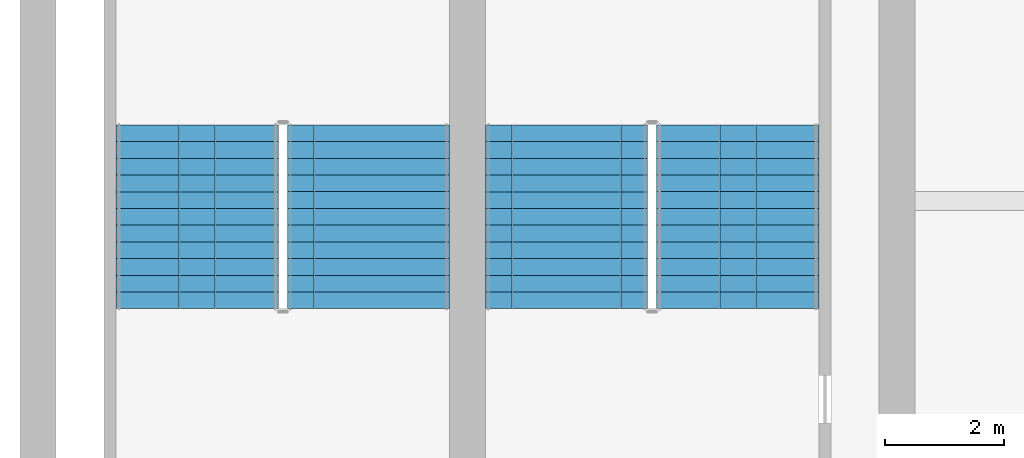
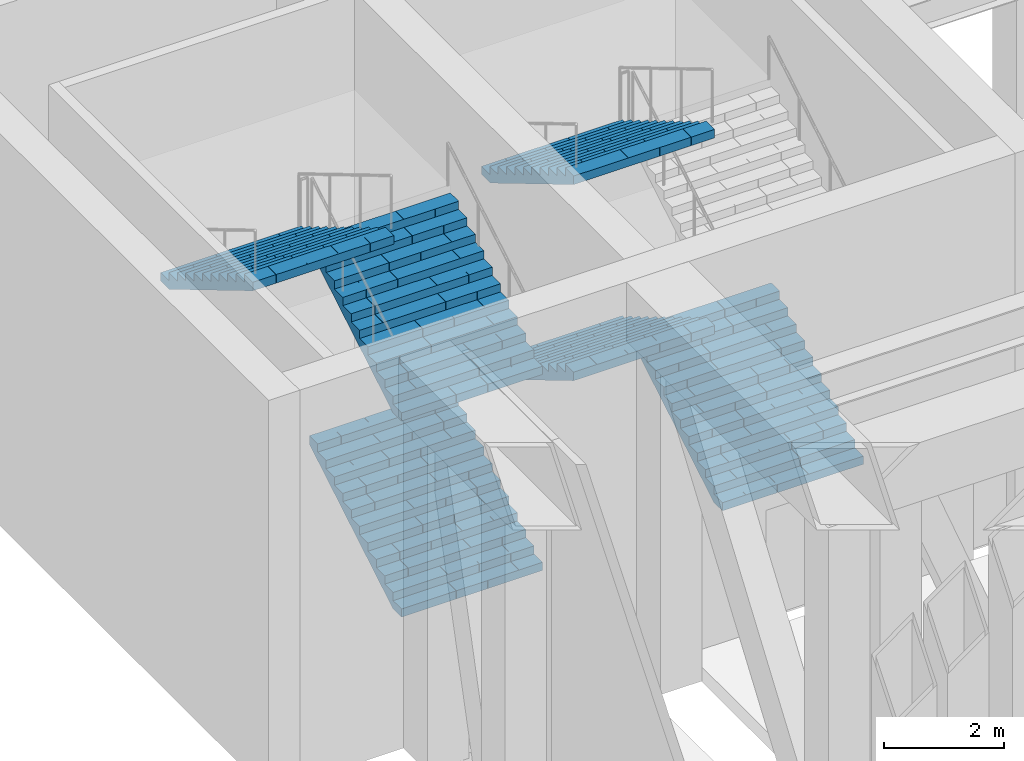
# One storey, part 15 of 20: 6 stair flights, 2 elements without a shape of their own.
"""IFC4 building model written with IfcOpenShell, lengths in metres."""

from ifc_helpers import new_model, si_unit, direction, frame, origin, place, context, subcontext, project, spatial, polyline, outline, extrude, material, type_object, element, aggregate, save


model = new_model("IFC4")

# Units and contexts
model_context = context("Model", 3, precision=1e-05, world=origin(), true_north=direction((0.0, 1.0)))
body_context = subcontext(model_context, "Body", "Model", "MODEL_VIEW")
ifc_project = project(units=[si_unit("LENGTHUNIT", "METRE"), si_unit("AREAUNIT", "SQUARE_METRE"), si_unit("VOLUMEUNIT", "CUBIC_METRE"), si_unit("PLANEANGLEUNIT", "RADIAN"), si_unit("MASSUNIT", "GRAM", prefix="KILO")], contexts=[model_context])

# Site, building, storey
site_placement = place(None, origin())
site = spatial("IfcSite", under=ifc_project, at=site_placement, CompositionType="ELEMENT")
building_placement = place(site_placement, origin())
building = spatial("IfcBuilding", under=site, at=building_placement, Name="Corbelhall Arena Tower", CompositionType="ELEMENT")
storey_placement = place(building_placement, frame((0.0, 0.0, 44.0)))
storey = spatial("IfcBuildingStorey", under=building, at=storey_placement, Name="L06", CompositionType="ELEMENT", Elevation=44.0)

# Stair, stair flights
ifc_material = material(Name="Reinforced concrete C40/50", Category="concrete")
stair_type = type_object("IfcStairType", Name="AR-EXIT-STAIR", PredefinedType="HALF_TURN_STAIR", material=ifc_material)
stair_1_placement = place(storey_placement, origin())
stair_1 = element("IfcStair", 1, at=stair_1_placement, inside=storey, type_object=stair_type, Name="L06 exit stair AS3", PredefinedType="HALF_TURN_STAIR")
stair_flight_type = type_object("IfcStairFlightType", Name="AR-EXIT-FLIGHT", PredefinedType="STRAIGHT", material=ifc_material)
stair_flight_1_placement = place(storey_placement, frame((-35.969970703125, 27.320068359375, 0.0), z_axis=(0.0, 0.0, 1.0), x_axis=(0.0, 1.0, 0.0)))
stair_flight_1 = element("IfcStairFlight", 2, at=stair_flight_1_placement, type_object=stair_flight_type, Name="AS3 flight 1", NumberOfRisers=12, NumberOfTreads=11, PredefinedType="STRAIGHT", RiserHeight=0.166666667, TreadLength=0.28, context=body_context, shape_type="SweptSolid", body=[
    extrude(outline(polyline([(0.0, 0.0), (0.0, 0.166748046875), (0.280029296875, 0.166748046875), (0.280029296875, 0.333251953125), (0.56005859375, 0.333251953125), (0.56005859375, 0.5), (0.840087890625, 0.5), (0.840087890625, 0.666748046875), (1.1201171875, 0.666748046875), (1.1201171875, 0.833251953125), (1.39990234375, 0.833251953125), (1.39990234375, 1.0), (1.679931640625, 1.0), (1.679931640625, 1.166748046875), (1.9599609375, 1.166748046875), (1.9599609375, 1.333251953125), (2.239990234375, 1.333251953125), (2.239990234375, 1.5), (2.52001953125, 1.5), (2.52001953125, 1.666748046875), (2.800048828125, 1.666748046875), (2.800048828125, 1.833251953125), (3.080078125, 1.833251953125), (3.080078125, 2.0), (3.080078125, 1.658935546875), (0.29296875, 0.0), (0.0, 0.0)])), frame((0.0, 1.35986328125, 0.0), z_axis=(0.0, -1.0, 0.0), x_axis=(1.0, 0.0, 0.0)), (0.0, 0.0, 1.0), 0.449951171875),
    extrude(outline(polyline([(0.0, 0.0), (0.0, 0.166748046875), (0.280029296875, 0.166748046875), (0.280029296875, 0.333251953125), (0.56005859375, 0.333251953125), (0.56005859375, 0.5), (0.840087890625, 0.5), (0.840087890625, 0.666748046875), (1.1201171875, 0.666748046875), (1.1201171875, 0.833251953125), (1.39990234375, 0.833251953125), (1.39990234375, 1.0), (1.679931640625, 1.0), (1.679931640625, 1.166748046875), (1.9599609375, 1.166748046875), (1.9599609375, 1.333251953125), (2.239990234375, 1.333251953125), (2.239990234375, 1.5), (2.52001953125, 1.5), (2.52001953125, 1.666748046875), (2.800048828125, 1.666748046875), (2.800048828125, 1.833251953125), (3.080078125, 1.833251953125), (3.080078125, 2.0), (3.080078125, 1.658935546875), (0.29296875, 0.0), (0.0, 0.0)])), frame((0.0, 0.906005859375, 0.0), z_axis=(0.0, -1.0, 0.0), x_axis=(1.0, 0.0, 0.0)), (0.0, 0.0, 1.0), 0.601318359375),
    extrude(outline(polyline([(0.0, 0.0), (0.0, 0.166748046875), (0.280029296875, 0.166748046875), (0.280029296875, 0.333251953125), (0.56005859375, 0.333251953125), (0.56005859375, 0.5), (0.840087890625, 0.5), (0.840087890625, 0.666748046875), (1.1201171875, 0.666748046875), (1.1201171875, 0.833251953125), (1.39990234375, 0.833251953125), (1.39990234375, 1.0), (1.679931640625, 1.0), (1.679931640625, 1.166748046875), (1.9599609375, 1.166748046875), (1.9599609375, 1.333251953125), (2.239990234375, 1.333251953125), (2.239990234375, 1.5), (2.52001953125, 1.5), (2.52001953125, 1.666748046875), (2.800048828125, 1.666748046875), (2.800048828125, 1.833251953125), (3.080078125, 1.833251953125), (3.080078125, 2.0), (3.080078125, 1.658935546875), (0.29296875, 0.0), (0.0, 0.0)])), frame((0.0, 0.30078125, 0.0), z_axis=(0.0, -1.0, 0.0), x_axis=(1.0, 0.0, 0.0)), (0.0, 0.0, 1.0), 0.601318359375),
    extrude(outline(polyline([(0.0, 0.0), (0.0, 0.166748046875), (0.280029296875, 0.166748046875), (0.280029296875, 0.333251953125), (0.56005859375, 0.333251953125), (0.56005859375, 0.5), (0.840087890625, 0.5), (0.840087890625, 0.666748046875), (1.1201171875, 0.666748046875), (1.1201171875, 0.833251953125), (1.39990234375, 0.833251953125), (1.39990234375, 1.0), (1.679931640625, 1.0), (1.679931640625, 1.166748046875), (1.9599609375, 1.166748046875), (1.9599609375, 1.333251953125), (2.239990234375, 1.333251953125), (2.239990234375, 1.5), (2.52001953125, 1.5), (2.52001953125, 1.666748046875), (2.800048828125, 1.666748046875), (2.800048828125, 1.833251953125), (3.080078125, 1.833251953125), (3.080078125, 2.0), (3.080078125, 1.658935546875), (0.29296875, 0.0), (0.0, 0.0)])), frame((0.0, -0.3046875, 0.0), z_axis=(0.0, -1.0, 0.0), x_axis=(1.0, 0.0, 0.0)), (0.0, 0.0, 1.0), 0.601318359375),
    extrude(outline(polyline([(0.0, 0.0), (0.0, 0.166748046875), (0.280029296875, 0.166748046875), (0.280029296875, 0.333251953125), (0.56005859375, 0.333251953125), (0.56005859375, 0.5), (0.840087890625, 0.5), (0.840087890625, 0.666748046875), (1.1201171875, 0.666748046875), (1.1201171875, 0.833251953125), (1.39990234375, 0.833251953125), (1.39990234375, 1.0), (1.679931640625, 1.0), (1.679931640625, 1.166748046875), (1.9599609375, 1.166748046875), (1.9599609375, 1.333251953125), (2.239990234375, 1.333251953125), (2.239990234375, 1.5), (2.52001953125, 1.5), (2.52001953125, 1.666748046875), (2.800048828125, 1.666748046875), (2.800048828125, 1.833251953125), (3.080078125, 1.833251953125), (3.080078125, 2.0), (3.080078125, 1.658935546875), (0.29296875, 0.0), (0.0, 0.0)])), frame((0.0, -0.909912109375, 0.0), z_axis=(0.0, -1.0, 0.0), x_axis=(1.0, 0.0, 0.0)), (0.0, 0.0, 1.0), 0.449951171875),
])
stair_flight_2_placement = place(storey_placement, frame((-38.840087890625, 30.39990234375, 2.0), z_axis=(0.0, 0.0, 1.0), x_axis=(0.0, -1.0, 0.0)))
stair_flight_2 = element("IfcStairFlight", 3, at=stair_flight_2_placement, type_object=stair_flight_type, Name="AS3 flight 2", NumberOfRisers=12, NumberOfTreads=11, PredefinedType="STRAIGHT", RiserHeight=0.166666667, TreadLength=0.28, context=body_context, shape_type="SweptSolid", body=[
    extrude(outline(polyline([(0.0, 0.0), (0.0, 0.166748046875), (0.280029296875, 0.166748046875), (0.280029296875, 0.333251953125), (0.56005859375, 0.333251953125), (0.56005859375, 0.5), (0.840087890625, 0.5), (0.840087890625, 0.666748046875), (1.1201171875, 0.666748046875), (1.1201171875, 0.833251953125), (1.39990234375, 0.833251953125), (1.39990234375, 1.0), (1.679931640625, 1.0), (1.679931640625, 1.166748046875), (1.9599609375, 1.166748046875), (1.9599609375, 1.333251953125), (2.239990234375, 1.333251953125), (2.239990234375, 1.5), (2.52001953125, 1.5), (2.52001953125, 1.666748046875), (2.800048828125, 1.666748046875), (2.800048828125, 1.833251953125), (3.080078125, 1.833251953125), (3.080078125, 2.0), (3.080078125, 1.658935546875), (0.29296875, 0.0), (0.0, 0.0)])), frame((0.0, 1.35986328125, 0.0), z_axis=(0.0, -1.0, 0.0), x_axis=(1.0, 0.0, 0.0)), (0.0, 0.0, 1.0), 0.449951171875),
    extrude(outline(polyline([(0.0, 0.0), (0.0, 0.166748046875), (0.280029296875, 0.166748046875), (0.280029296875, 0.333251953125), (0.56005859375, 0.333251953125), (0.56005859375, 0.5), (0.840087890625, 0.5), (0.840087890625, 0.666748046875), (1.1201171875, 0.666748046875), (1.1201171875, 0.833251953125), (1.39990234375, 0.833251953125), (1.39990234375, 1.0), (1.679931640625, 1.0), (1.679931640625, 1.166748046875), (1.9599609375, 1.166748046875), (1.9599609375, 1.333251953125), (2.239990234375, 1.333251953125), (2.239990234375, 1.5), (2.52001953125, 1.5), (2.52001953125, 1.666748046875), (2.800048828125, 1.666748046875), (2.800048828125, 1.833251953125), (3.080078125, 1.833251953125), (3.080078125, 2.0), (3.080078125, 1.658935546875), (0.29296875, 0.0), (0.0, 0.0)])), frame((0.0, 0.906005859375, 0.0), z_axis=(0.0, -1.0, 0.0), x_axis=(1.0, 0.0, 0.0)), (0.0, 0.0, 1.0), 0.601318359375),
    extrude(outline(polyline([(0.0, 0.0), (0.0, 0.166748046875), (0.280029296875, 0.166748046875), (0.280029296875, 0.333251953125), (0.56005859375, 0.333251953125), (0.56005859375, 0.5), (0.840087890625, 0.5), (0.840087890625, 0.666748046875), (1.1201171875, 0.666748046875), (1.1201171875, 0.833251953125), (1.39990234375, 0.833251953125), (1.39990234375, 1.0), (1.679931640625, 1.0), (1.679931640625, 1.166748046875), (1.9599609375, 1.166748046875), (1.9599609375, 1.333251953125), (2.239990234375, 1.333251953125), (2.239990234375, 1.5), (2.52001953125, 1.5), (2.52001953125, 1.666748046875), (2.800048828125, 1.666748046875), (2.800048828125, 1.833251953125), (3.080078125, 1.833251953125), (3.080078125, 2.0), (3.080078125, 1.658935546875), (0.29296875, 0.0), (0.0, 0.0)])), frame((0.0, 0.30078125, 0.0), z_axis=(0.0, -1.0, 0.0), x_axis=(1.0, 0.0, 0.0)), (0.0, 0.0, 1.0), 0.601318359375),
    extrude(outline(polyline([(0.0, 0.0), (0.0, 0.166748046875), (0.280029296875, 0.166748046875), (0.280029296875, 0.333251953125), (0.56005859375, 0.333251953125), (0.56005859375, 0.5), (0.840087890625, 0.5), (0.840087890625, 0.666748046875), (1.1201171875, 0.666748046875), (1.1201171875, 0.833251953125), (1.39990234375, 0.833251953125), (1.39990234375, 1.0), (1.679931640625, 1.0), (1.679931640625, 1.166748046875), (1.9599609375, 1.166748046875), (1.9599609375, 1.333251953125), (2.239990234375, 1.333251953125), (2.239990234375, 1.5), (2.52001953125, 1.5), (2.52001953125, 1.666748046875), (2.800048828125, 1.666748046875), (2.800048828125, 1.833251953125), (3.080078125, 1.833251953125), (3.080078125, 2.0), (3.080078125, 1.658935546875), (0.29296875, 0.0), (0.0, 0.0)])), frame((0.0, -0.3046875, 0.0), z_axis=(0.0, -1.0, 0.0), x_axis=(1.0, 0.0, 0.0)), (0.0, 0.0, 1.0), 0.601318359375),
    extrude(outline(polyline([(0.0, 0.0), (0.0, 0.166748046875), (0.280029296875, 0.166748046875), (0.280029296875, 0.333251953125), (0.56005859375, 0.333251953125), (0.56005859375, 0.5), (0.840087890625, 0.5), (0.840087890625, 0.666748046875), (1.1201171875, 0.666748046875), (1.1201171875, 0.833251953125), (1.39990234375, 0.833251953125), (1.39990234375, 1.0), (1.679931640625, 1.0), (1.679931640625, 1.166748046875), (1.9599609375, 1.166748046875), (1.9599609375, 1.333251953125), (2.239990234375, 1.333251953125), (2.239990234375, 1.5), (2.52001953125, 1.5), (2.52001953125, 1.666748046875), (2.800048828125, 1.666748046875), (2.800048828125, 1.833251953125), (3.080078125, 1.833251953125), (3.080078125, 2.0), (3.080078125, 1.658935546875), (0.29296875, 0.0), (0.0, 0.0)])), frame((0.0, -0.909912109375, 0.0), z_axis=(0.0, -1.0, 0.0), x_axis=(1.0, 0.0, 0.0)), (0.0, 0.0, 1.0), 0.449951171875),
])
stair_flight_3_placement = place(storey_placement, frame((-38.840087890625, 30.39990234375, 6.0), z_axis=(0.0, 0.0, 1.0), x_axis=(0.0, -1.0, 0.0)))
stair_flight_3 = element("IfcStairFlight", 4, at=stair_flight_3_placement, type_object=stair_flight_type, Name="AS3 flight 4", NumberOfRisers=12, NumberOfTreads=11, PredefinedType="STRAIGHT", RiserHeight=0.166666667, TreadLength=0.28, context=body_context, shape_type="SweptSolid", body=[
    extrude(outline(polyline([(0.0, 0.0), (0.0, 0.166748046875), (0.280029296875, 0.166748046875), (0.280029296875, 0.333251953125), (0.56005859375, 0.333251953125), (0.56005859375, 0.5), (0.840087890625, 0.5), (0.840087890625, 0.666748046875), (1.1201171875, 0.666748046875), (1.1201171875, 0.833251953125), (1.39990234375, 0.833251953125), (1.39990234375, 1.0), (1.679931640625, 1.0), (1.679931640625, 1.166748046875), (1.9599609375, 1.166748046875), (1.9599609375, 1.333251953125), (2.239990234375, 1.333251953125), (2.239990234375, 1.5), (2.52001953125, 1.5), (2.52001953125, 1.666748046875), (2.800048828125, 1.666748046875), (2.800048828125, 1.833251953125), (3.080078125, 1.833251953125), (3.080078125, 2.0), (3.080078125, 1.658935546875), (0.29296875, 0.0), (0.0, 0.0)])), frame((0.0, 1.35986328125, 0.0), z_axis=(0.0, -1.0, 0.0), x_axis=(1.0, 0.0, 0.0)), (0.0, 0.0, 1.0), 0.449951171875),
    extrude(outline(polyline([(0.0, 0.0), (0.0, 0.166748046875), (0.280029296875, 0.166748046875), (0.280029296875, 0.333251953125), (0.56005859375, 0.333251953125), (0.56005859375, 0.5), (0.840087890625, 0.5), (0.840087890625, 0.666748046875), (1.1201171875, 0.666748046875), (1.1201171875, 0.833251953125), (1.39990234375, 0.833251953125), (1.39990234375, 1.0), (1.679931640625, 1.0), (1.679931640625, 1.166748046875), (1.9599609375, 1.166748046875), (1.9599609375, 1.333251953125), (2.239990234375, 1.333251953125), (2.239990234375, 1.5), (2.52001953125, 1.5), (2.52001953125, 1.666748046875), (2.800048828125, 1.666748046875), (2.800048828125, 1.833251953125), (3.080078125, 1.833251953125), (3.080078125, 2.0), (3.080078125, 1.658935546875), (0.29296875, 0.0), (0.0, 0.0)])), frame((0.0, 0.906005859375, 0.0), z_axis=(0.0, -1.0, 0.0), x_axis=(1.0, 0.0, 0.0)), (0.0, 0.0, 1.0), 0.601318359375),
    extrude(outline(polyline([(0.0, 0.0), (0.0, 0.166748046875), (0.280029296875, 0.166748046875), (0.280029296875, 0.333251953125), (0.56005859375, 0.333251953125), (0.56005859375, 0.5), (0.840087890625, 0.5), (0.840087890625, 0.666748046875), (1.1201171875, 0.666748046875), (1.1201171875, 0.833251953125), (1.39990234375, 0.833251953125), (1.39990234375, 1.0), (1.679931640625, 1.0), (1.679931640625, 1.166748046875), (1.9599609375, 1.166748046875), (1.9599609375, 1.333251953125), (2.239990234375, 1.333251953125), (2.239990234375, 1.5), (2.52001953125, 1.5), (2.52001953125, 1.666748046875), (2.800048828125, 1.666748046875), (2.800048828125, 1.833251953125), (3.080078125, 1.833251953125), (3.080078125, 2.0), (3.080078125, 1.658935546875), (0.29296875, 0.0), (0.0, 0.0)])), frame((0.0, 0.30078125, 0.0), z_axis=(0.0, -1.0, 0.0), x_axis=(1.0, 0.0, 0.0)), (0.0, 0.0, 1.0), 0.601318359375),
    extrude(outline(polyline([(0.0, 0.0), (0.0, 0.166748046875), (0.280029296875, 0.166748046875), (0.280029296875, 0.333251953125), (0.56005859375, 0.333251953125), (0.56005859375, 0.5), (0.840087890625, 0.5), (0.840087890625, 0.666748046875), (1.1201171875, 0.666748046875), (1.1201171875, 0.833251953125), (1.39990234375, 0.833251953125), (1.39990234375, 1.0), (1.679931640625, 1.0), (1.679931640625, 1.166748046875), (1.9599609375, 1.166748046875), (1.9599609375, 1.333251953125), (2.239990234375, 1.333251953125), (2.239990234375, 1.5), (2.52001953125, 1.5), (2.52001953125, 1.666748046875), (2.800048828125, 1.666748046875), (2.800048828125, 1.833251953125), (3.080078125, 1.833251953125), (3.080078125, 2.0), (3.080078125, 1.658935546875), (0.29296875, 0.0), (0.0, 0.0)])), frame((0.0, -0.3046875, 0.0), z_axis=(0.0, -1.0, 0.0), x_axis=(1.0, 0.0, 0.0)), (0.0, 0.0, 1.0), 0.601318359375),
    extrude(outline(polyline([(0.0, 0.0), (0.0, 0.166748046875), (0.280029296875, 0.166748046875), (0.280029296875, 0.333251953125), (0.56005859375, 0.333251953125), (0.56005859375, 0.5), (0.840087890625, 0.5), (0.840087890625, 0.666748046875), (1.1201171875, 0.666748046875), (1.1201171875, 0.833251953125), (1.39990234375, 0.833251953125), (1.39990234375, 1.0), (1.679931640625, 1.0), (1.679931640625, 1.166748046875), (1.9599609375, 1.166748046875), (1.9599609375, 1.333251953125), (2.239990234375, 1.333251953125), (2.239990234375, 1.5), (2.52001953125, 1.5), (2.52001953125, 1.666748046875), (2.800048828125, 1.666748046875), (2.800048828125, 1.833251953125), (3.080078125, 1.833251953125), (3.080078125, 2.0), (3.080078125, 1.658935546875), (0.29296875, 0.0), (0.0, 0.0)])), frame((0.0, -0.909912109375, 0.0), z_axis=(0.0, -1.0, 0.0), x_axis=(1.0, 0.0, 0.0)), (0.0, 0.0, 1.0), 0.449951171875),
])
aggregate(stair_1, [stair_flight_1, stair_flight_2, stair_flight_3])

stair_2_placement = place(storey_placement, origin())
stair_2 = element("IfcStair", 5, at=stair_2_placement, inside=storey, type_object=stair_type, Name="L06 exit stair AS4", PredefinedType="HALF_TURN_STAIR")
stair_flight_4_placement = place(storey_placement, frame((-42.159912109375, 27.320068359375, 0.0), z_axis=(0.0, 0.0, 1.0), x_axis=(0.0, 1.0, 0.0)))
stair_flight_4 = element("IfcStairFlight", 6, at=stair_flight_4_placement, type_object=stair_flight_type, Name="AS4 flight 1", NumberOfRisers=12, NumberOfTreads=11, PredefinedType="STRAIGHT", RiserHeight=0.166666667, TreadLength=0.28, context=body_context, shape_type="SweptSolid", body=[
    extrude(outline(polyline([(0.0, 0.0), (0.0, 0.166748046875), (0.280029296875, 0.166748046875), (0.280029296875, 0.333251953125), (0.56005859375, 0.333251953125), (0.56005859375, 0.5), (0.840087890625, 0.5), (0.840087890625, 0.666748046875), (1.1201171875, 0.666748046875), (1.1201171875, 0.833251953125), (1.39990234375, 0.833251953125), (1.39990234375, 1.0), (1.679931640625, 1.0), (1.679931640625, 1.166748046875), (1.9599609375, 1.166748046875), (1.9599609375, 1.333251953125), (2.239990234375, 1.333251953125), (2.239990234375, 1.5), (2.52001953125, 1.5), (2.52001953125, 1.666748046875), (2.800048828125, 1.666748046875), (2.800048828125, 1.833251953125), (3.080078125, 1.833251953125), (3.080078125, 2.0), (3.080078125, 1.658935546875), (0.29296875, 0.0), (0.0, 0.0)])), frame((0.0, 1.35986328125, 0.0), z_axis=(0.0, -1.0, 0.0), x_axis=(1.0, 0.0, 0.0)), (0.0, 0.0, 1.0), 0.449951171875),
    extrude(outline(polyline([(0.0, 0.0), (0.0, 0.166748046875), (0.280029296875, 0.166748046875), (0.280029296875, 0.333251953125), (0.56005859375, 0.333251953125), (0.56005859375, 0.5), (0.840087890625, 0.5), (0.840087890625, 0.666748046875), (1.1201171875, 0.666748046875), (1.1201171875, 0.833251953125), (1.39990234375, 0.833251953125), (1.39990234375, 1.0), (1.679931640625, 1.0), (1.679931640625, 1.166748046875), (1.9599609375, 1.166748046875), (1.9599609375, 1.333251953125), (2.239990234375, 1.333251953125), (2.239990234375, 1.5), (2.52001953125, 1.5), (2.52001953125, 1.666748046875), (2.800048828125, 1.666748046875), (2.800048828125, 1.833251953125), (3.080078125, 1.833251953125), (3.080078125, 2.0), (3.080078125, 1.658935546875), (0.29296875, 0.0), (0.0, 0.0)])), frame((0.0, 0.906005859375, 0.0), z_axis=(0.0, -1.0, 0.0), x_axis=(1.0, 0.0, 0.0)), (0.0, 0.0, 1.0), 0.601318359375),
    extrude(outline(polyline([(0.0, 0.0), (0.0, 0.166748046875), (0.280029296875, 0.166748046875), (0.280029296875, 0.333251953125), (0.56005859375, 0.333251953125), (0.56005859375, 0.5), (0.840087890625, 0.5), (0.840087890625, 0.666748046875), (1.1201171875, 0.666748046875), (1.1201171875, 0.833251953125), (1.39990234375, 0.833251953125), (1.39990234375, 1.0), (1.679931640625, 1.0), (1.679931640625, 1.166748046875), (1.9599609375, 1.166748046875), (1.9599609375, 1.333251953125), (2.239990234375, 1.333251953125), (2.239990234375, 1.5), (2.52001953125, 1.5), (2.52001953125, 1.666748046875), (2.800048828125, 1.666748046875), (2.800048828125, 1.833251953125), (3.080078125, 1.833251953125), (3.080078125, 2.0), (3.080078125, 1.658935546875), (0.29296875, 0.0), (0.0, 0.0)])), frame((0.0, 0.30078125, 0.0), z_axis=(0.0, -1.0, 0.0), x_axis=(1.0, 0.0, 0.0)), (0.0, 0.0, 1.0), 0.601318359375),
    extrude(outline(polyline([(0.0, 0.0), (0.0, 0.166748046875), (0.280029296875, 0.166748046875), (0.280029296875, 0.333251953125), (0.56005859375, 0.333251953125), (0.56005859375, 0.5), (0.840087890625, 0.5), (0.840087890625, 0.666748046875), (1.1201171875, 0.666748046875), (1.1201171875, 0.833251953125), (1.39990234375, 0.833251953125), (1.39990234375, 1.0), (1.679931640625, 1.0), (1.679931640625, 1.166748046875), (1.9599609375, 1.166748046875), (1.9599609375, 1.333251953125), (2.239990234375, 1.333251953125), (2.239990234375, 1.5), (2.52001953125, 1.5), (2.52001953125, 1.666748046875), (2.800048828125, 1.666748046875), (2.800048828125, 1.833251953125), (3.080078125, 1.833251953125), (3.080078125, 2.0), (3.080078125, 1.658935546875), (0.29296875, 0.0), (0.0, 0.0)])), frame((0.0, -0.3046875, 0.0), z_axis=(0.0, -1.0, 0.0), x_axis=(1.0, 0.0, 0.0)), (0.0, 0.0, 1.0), 0.601318359375),
    extrude(outline(polyline([(0.0, 0.0), (0.0, 0.166748046875), (0.280029296875, 0.166748046875), (0.280029296875, 0.333251953125), (0.56005859375, 0.333251953125), (0.56005859375, 0.5), (0.840087890625, 0.5), (0.840087890625, 0.666748046875), (1.1201171875, 0.666748046875), (1.1201171875, 0.833251953125), (1.39990234375, 0.833251953125), (1.39990234375, 1.0), (1.679931640625, 1.0), (1.679931640625, 1.166748046875), (1.9599609375, 1.166748046875), (1.9599609375, 1.333251953125), (2.239990234375, 1.333251953125), (2.239990234375, 1.5), (2.52001953125, 1.5), (2.52001953125, 1.666748046875), (2.800048828125, 1.666748046875), (2.800048828125, 1.833251953125), (3.080078125, 1.833251953125), (3.080078125, 2.0), (3.080078125, 1.658935546875), (0.29296875, 0.0), (0.0, 0.0)])), frame((0.0, -0.909912109375, 0.0), z_axis=(0.0, -1.0, 0.0), x_axis=(1.0, 0.0, 0.0)), (0.0, 0.0, 1.0), 0.449951171875),
])
stair_flight_5_placement = place(storey_placement, frame((-42.159912109375, 27.320068359375, 4.0), z_axis=(0.0, 0.0, 1.0), x_axis=(0.0, 1.0, 0.0)))
stair_flight_5 = element("IfcStairFlight", 7, at=stair_flight_5_placement, type_object=stair_flight_type, Name="AS4 flight 3", NumberOfRisers=12, NumberOfTreads=11, PredefinedType="STRAIGHT", RiserHeight=0.166666667, TreadLength=0.28, context=body_context, shape_type="SweptSolid", body=[
    extrude(outline(polyline([(0.0, 0.0), (0.0, 0.166748046875), (0.280029296875, 0.166748046875), (0.280029296875, 0.333251953125), (0.56005859375, 0.333251953125), (0.56005859375, 0.5), (0.840087890625, 0.5), (0.840087890625, 0.666748046875), (1.1201171875, 0.666748046875), (1.1201171875, 0.833251953125), (1.39990234375, 0.833251953125), (1.39990234375, 1.0), (1.679931640625, 1.0), (1.679931640625, 1.166748046875), (1.9599609375, 1.166748046875), (1.9599609375, 1.333251953125), (2.239990234375, 1.333251953125), (2.239990234375, 1.5), (2.52001953125, 1.5), (2.52001953125, 1.666748046875), (2.800048828125, 1.666748046875), (2.800048828125, 1.833251953125), (3.080078125, 1.833251953125), (3.080078125, 2.0), (3.080078125, 1.658935546875), (0.29296875, 0.0), (0.0, 0.0)])), frame((0.0, 1.35986328125, 0.0), z_axis=(0.0, -1.0, 0.0), x_axis=(1.0, 0.0, 0.0)), (0.0, 0.0, 1.0), 0.449951171875),
    extrude(outline(polyline([(0.0, 0.0), (0.0, 0.166748046875), (0.280029296875, 0.166748046875), (0.280029296875, 0.333251953125), (0.56005859375, 0.333251953125), (0.56005859375, 0.5), (0.840087890625, 0.5), (0.840087890625, 0.666748046875), (1.1201171875, 0.666748046875), (1.1201171875, 0.833251953125), (1.39990234375, 0.833251953125), (1.39990234375, 1.0), (1.679931640625, 1.0), (1.679931640625, 1.166748046875), (1.9599609375, 1.166748046875), (1.9599609375, 1.333251953125), (2.239990234375, 1.333251953125), (2.239990234375, 1.5), (2.52001953125, 1.5), (2.52001953125, 1.666748046875), (2.800048828125, 1.666748046875), (2.800048828125, 1.833251953125), (3.080078125, 1.833251953125), (3.080078125, 2.0), (3.080078125, 1.658935546875), (0.29296875, 0.0), (0.0, 0.0)])), frame((0.0, 0.906005859375, 0.0), z_axis=(0.0, -1.0, 0.0), x_axis=(1.0, 0.0, 0.0)), (0.0, 0.0, 1.0), 0.601318359375),
    extrude(outline(polyline([(0.0, 0.0), (0.0, 0.166748046875), (0.280029296875, 0.166748046875), (0.280029296875, 0.333251953125), (0.56005859375, 0.333251953125), (0.56005859375, 0.5), (0.840087890625, 0.5), (0.840087890625, 0.666748046875), (1.1201171875, 0.666748046875), (1.1201171875, 0.833251953125), (1.39990234375, 0.833251953125), (1.39990234375, 1.0), (1.679931640625, 1.0), (1.679931640625, 1.166748046875), (1.9599609375, 1.166748046875), (1.9599609375, 1.333251953125), (2.239990234375, 1.333251953125), (2.239990234375, 1.5), (2.52001953125, 1.5), (2.52001953125, 1.666748046875), (2.800048828125, 1.666748046875), (2.800048828125, 1.833251953125), (3.080078125, 1.833251953125), (3.080078125, 2.0), (3.080078125, 1.658935546875), (0.29296875, 0.0), (0.0, 0.0)])), frame((0.0, 0.30078125, 0.0), z_axis=(0.0, -1.0, 0.0), x_axis=(1.0, 0.0, 0.0)), (0.0, 0.0, 1.0), 0.601318359375),
    extrude(outline(polyline([(0.0, 0.0), (0.0, 0.166748046875), (0.280029296875, 0.166748046875), (0.280029296875, 0.333251953125), (0.56005859375, 0.333251953125), (0.56005859375, 0.5), (0.840087890625, 0.5), (0.840087890625, 0.666748046875), (1.1201171875, 0.666748046875), (1.1201171875, 0.833251953125), (1.39990234375, 0.833251953125), (1.39990234375, 1.0), (1.679931640625, 1.0), (1.679931640625, 1.166748046875), (1.9599609375, 1.166748046875), (1.9599609375, 1.333251953125), (2.239990234375, 1.333251953125), (2.239990234375, 1.5), (2.52001953125, 1.5), (2.52001953125, 1.666748046875), (2.800048828125, 1.666748046875), (2.800048828125, 1.833251953125), (3.080078125, 1.833251953125), (3.080078125, 2.0), (3.080078125, 1.658935546875), (0.29296875, 0.0), (0.0, 0.0)])), frame((0.0, -0.3046875, 0.0), z_axis=(0.0, -1.0, 0.0), x_axis=(1.0, 0.0, 0.0)), (0.0, 0.0, 1.0), 0.601318359375),
    extrude(outline(polyline([(0.0, 0.0), (0.0, 0.166748046875), (0.280029296875, 0.166748046875), (0.280029296875, 0.333251953125), (0.56005859375, 0.333251953125), (0.56005859375, 0.5), (0.840087890625, 0.5), (0.840087890625, 0.666748046875), (1.1201171875, 0.666748046875), (1.1201171875, 0.833251953125), (1.39990234375, 0.833251953125), (1.39990234375, 1.0), (1.679931640625, 1.0), (1.679931640625, 1.166748046875), (1.9599609375, 1.166748046875), (1.9599609375, 1.333251953125), (2.239990234375, 1.333251953125), (2.239990234375, 1.5), (2.52001953125, 1.5), (2.52001953125, 1.666748046875), (2.800048828125, 1.666748046875), (2.800048828125, 1.833251953125), (3.080078125, 1.833251953125), (3.080078125, 2.0), (3.080078125, 1.658935546875), (0.29296875, 0.0), (0.0, 0.0)])), frame((0.0, -0.909912109375, 0.0), z_axis=(0.0, -1.0, 0.0), x_axis=(1.0, 0.0, 0.0)), (0.0, 0.0, 1.0), 0.449951171875),
])
stair_flight_6_placement = place(storey_placement, frame((-45.030029296875, 30.39990234375, 6.0), z_axis=(0.0, 0.0, 1.0), x_axis=(0.0, -1.0, 0.0)))
stair_flight_6 = element("IfcStairFlight", 8, at=stair_flight_6_placement, type_object=stair_flight_type, Name="AS4 flight 4", NumberOfRisers=12, NumberOfTreads=11, PredefinedType="STRAIGHT", RiserHeight=0.166666667, TreadLength=0.28, context=body_context, shape_type="SweptSolid", body=[
    extrude(outline(polyline([(0.0, 0.0), (0.0, 0.166748046875), (0.280029296875, 0.166748046875), (0.280029296875, 0.333251953125), (0.56005859375, 0.333251953125), (0.56005859375, 0.5), (0.840087890625, 0.5), (0.840087890625, 0.666748046875), (1.1201171875, 0.666748046875), (1.1201171875, 0.833251953125), (1.39990234375, 0.833251953125), (1.39990234375, 1.0), (1.679931640625, 1.0), (1.679931640625, 1.166748046875), (1.9599609375, 1.166748046875), (1.9599609375, 1.333251953125), (2.239990234375, 1.333251953125), (2.239990234375, 1.5), (2.52001953125, 1.5), (2.52001953125, 1.666748046875), (2.800048828125, 1.666748046875), (2.800048828125, 1.833251953125), (3.080078125, 1.833251953125), (3.080078125, 2.0), (3.080078125, 1.658935546875), (0.29296875, 0.0), (0.0, 0.0)])), frame((0.0, 1.35986328125, 0.0), z_axis=(0.0, -1.0, 0.0), x_axis=(1.0, 0.0, 0.0)), (0.0, 0.0, 1.0), 0.449951171875),
    extrude(outline(polyline([(0.0, 0.0), (0.0, 0.166748046875), (0.280029296875, 0.166748046875), (0.280029296875, 0.333251953125), (0.56005859375, 0.333251953125), (0.56005859375, 0.5), (0.840087890625, 0.5), (0.840087890625, 0.666748046875), (1.1201171875, 0.666748046875), (1.1201171875, 0.833251953125), (1.39990234375, 0.833251953125), (1.39990234375, 1.0), (1.679931640625, 1.0), (1.679931640625, 1.166748046875), (1.9599609375, 1.166748046875), (1.9599609375, 1.333251953125), (2.239990234375, 1.333251953125), (2.239990234375, 1.5), (2.52001953125, 1.5), (2.52001953125, 1.666748046875), (2.800048828125, 1.666748046875), (2.800048828125, 1.833251953125), (3.080078125, 1.833251953125), (3.080078125, 2.0), (3.080078125, 1.658935546875), (0.29296875, 0.0), (0.0, 0.0)])), frame((0.0, 0.906005859375, 0.0), z_axis=(0.0, -1.0, 0.0), x_axis=(1.0, 0.0, 0.0)), (0.0, 0.0, 1.0), 0.601318359375),
    extrude(outline(polyline([(0.0, 0.0), (0.0, 0.166748046875), (0.280029296875, 0.166748046875), (0.280029296875, 0.333251953125), (0.56005859375, 0.333251953125), (0.56005859375, 0.5), (0.840087890625, 0.5), (0.840087890625, 0.666748046875), (1.1201171875, 0.666748046875), (1.1201171875, 0.833251953125), (1.39990234375, 0.833251953125), (1.39990234375, 1.0), (1.679931640625, 1.0), (1.679931640625, 1.166748046875), (1.9599609375, 1.166748046875), (1.9599609375, 1.333251953125), (2.239990234375, 1.333251953125), (2.239990234375, 1.5), (2.52001953125, 1.5), (2.52001953125, 1.666748046875), (2.800048828125, 1.666748046875), (2.800048828125, 1.833251953125), (3.080078125, 1.833251953125), (3.080078125, 2.0), (3.080078125, 1.658935546875), (0.29296875, 0.0), (0.0, 0.0)])), frame((0.0, 0.30078125, 0.0), z_axis=(0.0, -1.0, 0.0), x_axis=(1.0, 0.0, 0.0)), (0.0, 0.0, 1.0), 0.601318359375),
    extrude(outline(polyline([(0.0, 0.0), (0.0, 0.166748046875), (0.280029296875, 0.166748046875), (0.280029296875, 0.333251953125), (0.56005859375, 0.333251953125), (0.56005859375, 0.5), (0.840087890625, 0.5), (0.840087890625, 0.666748046875), (1.1201171875, 0.666748046875), (1.1201171875, 0.833251953125), (1.39990234375, 0.833251953125), (1.39990234375, 1.0), (1.679931640625, 1.0), (1.679931640625, 1.166748046875), (1.9599609375, 1.166748046875), (1.9599609375, 1.333251953125), (2.239990234375, 1.333251953125), (2.239990234375, 1.5), (2.52001953125, 1.5), (2.52001953125, 1.666748046875), (2.800048828125, 1.666748046875), (2.800048828125, 1.833251953125), (3.080078125, 1.833251953125), (3.080078125, 2.0), (3.080078125, 1.658935546875), (0.29296875, 0.0), (0.0, 0.0)])), frame((0.0, -0.3046875, 0.0), z_axis=(0.0, -1.0, 0.0), x_axis=(1.0, 0.0, 0.0)), (0.0, 0.0, 1.0), 0.601318359375),
    extrude(outline(polyline([(0.0, 0.0), (0.0, 0.166748046875), (0.280029296875, 0.166748046875), (0.280029296875, 0.333251953125), (0.56005859375, 0.333251953125), (0.56005859375, 0.5), (0.840087890625, 0.5), (0.840087890625, 0.666748046875), (1.1201171875, 0.666748046875), (1.1201171875, 0.833251953125), (1.39990234375, 0.833251953125), (1.39990234375, 1.0), (1.679931640625, 1.0), (1.679931640625, 1.166748046875), (1.9599609375, 1.166748046875), (1.9599609375, 1.333251953125), (2.239990234375, 1.333251953125), (2.239990234375, 1.5), (2.52001953125, 1.5), (2.52001953125, 1.666748046875), (2.800048828125, 1.666748046875), (2.800048828125, 1.833251953125), (3.080078125, 1.833251953125), (3.080078125, 2.0), (3.080078125, 1.658935546875), (0.29296875, 0.0), (0.0, 0.0)])), frame((0.0, -0.909912109375, 0.0), z_axis=(0.0, -1.0, 0.0), x_axis=(1.0, 0.0, 0.0)), (0.0, 0.0, 1.0), 0.449951171875),
])
aggregate(stair_2, [stair_flight_4, stair_flight_5, stair_flight_6])

save(model, "model.ifc")
